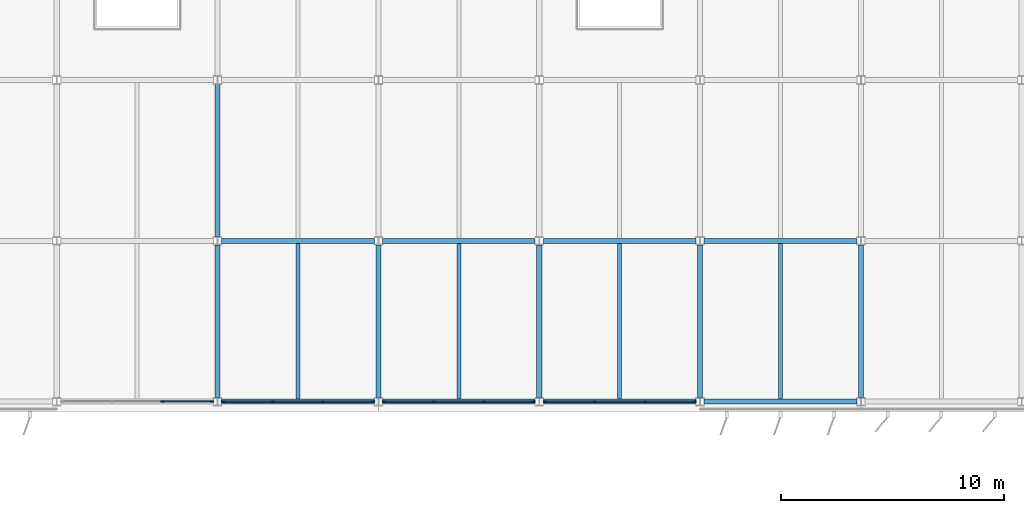
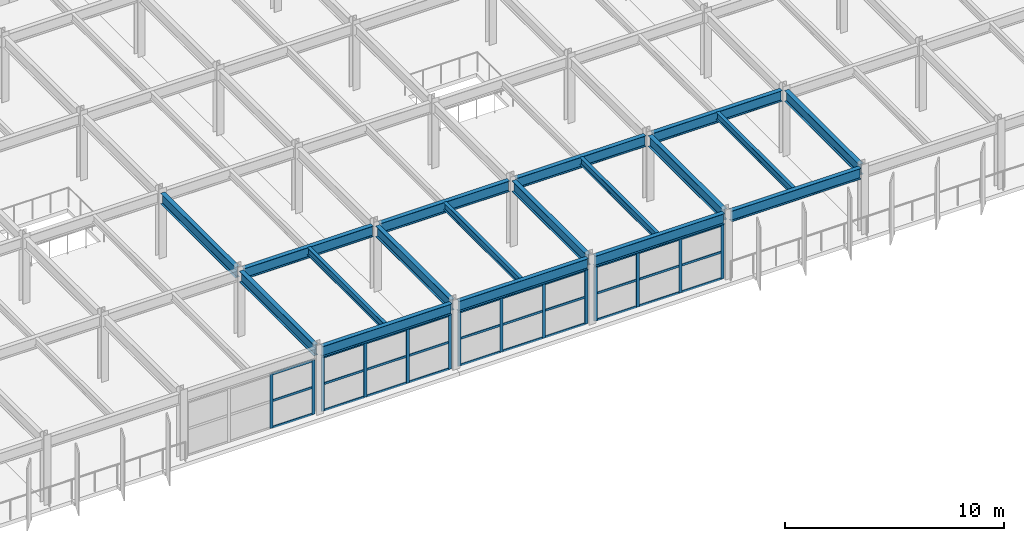
# One storey, part 18 of 52: 44 members, 18 beams, 4 elements without a shape of their own.
"""IFC4 building model written with IfcOpenShell, lengths in metres."""

from ifc_helpers import new_model, si_unit, direction, frame, origin, origin_2d, place, context, subcontext, project, spatial, rectangle, i_section, extrude, material, material_profile, profile_set, type_object, element, aggregate, save


model = new_model("IFC4")

# Units and contexts
model_context = context("Model", 3, precision=1e-05, world=origin(), true_north=direction((0.0, 1.0)))
body_context = subcontext(model_context, "Body", "Model", "MODEL_VIEW")
ifc_project = project(units=[si_unit("LENGTHUNIT", "METRE"), si_unit("AREAUNIT", "SQUARE_METRE"), si_unit("VOLUMEUNIT", "CUBIC_METRE"), si_unit("PLANEANGLEUNIT", "RADIAN"), si_unit("MASSUNIT", "GRAM", prefix="KILO")], contexts=[model_context])

# Site, building, storey
site_placement = place(None, origin())
site = spatial("IfcSite", under=ifc_project, at=site_placement, CompositionType="ELEMENT")
building_placement = place(site_placement, origin())
building = spatial("IfcBuilding", under=site, at=building_placement, Name="Vaelcorin Mobility Hub", CompositionType="ELEMENT")
storey_placement = place(building_placement, frame((0.0, 0.0, 13.199951171875)))
storey = spatial("IfcBuildingStorey", under=building, at=storey_placement, Name="L03", CompositionType="ELEMENT", Elevation=13.199951171875)

# Beams
ifc_material_1 = material(Name="Steel ASTM A992 Grade 50", Category="steel")
ifc_material_profile_1 = material_profile(ifc_material_1, i_section(OverallWidth=0.177978515625, OverallDepth=0.404052734375, WebThickness=0.007568359375, FlangeThickness=0.010986328125, FilletRadius=0.012939453125, at=origin_2d()), Name="W16X36")
ifc_profile_set_1 = profile_set([ifc_material_profile_1], Name="Steel ASTM A992 Grade 50")
beam_type_1 = type_object("IfcBeamType", Name="BM-W16X36", PredefinedType="JOIST", material=ifc_profile_set_1)
for number, where, z_axis, x_axis, name in (
    (1, (75.60009765625, 76.912109375, 3.47802734375), (0.0, 1.0, 0.0), (-1.0, 0.0, 0.0), "L03 Beam V4VR-L03-J-06-01-1"),
    (2, (82.800048828125, 76.912109375, 3.47802734375), (0.0, 1.0, 0.0), (-1.0, 0.0, 0.0), "L03 Beam V4VR-L03-J-07-01-1"),
    (3, (90.0, 76.912109375, 3.47802734375), (0.0, 1.0, 0.0), (-1.0, 0.0, 0.0), "L03 Beam V4VR-L03-J-08-01-1"),
    (4, (97.199951171875, 76.912109375, 3.47802734375), (0.0, 1.0, 0.0), (-1.0, 0.0, 0.0), "L03 Beam V4VR-L03-J-09-01-1"),
):
    element("IfcBeam", number, at=place(storey_placement, frame(where, z_axis=z_axis, x_axis=x_axis)), inside=storey, type_object=beam_type_1, Name=name, PredefinedType="JOIST", context=body_context, shape_type="SweptSolid", body=[
        extrude(i_section(OverallWidth=0.177978515625, OverallDepth=0.404052734375, WebThickness=0.007568359375, FlangeThickness=0.010986328125, FilletRadius=0.012939453125, at=origin_2d()), origin(), (0.0, 0.0, 1.0), 6.975830078125),
    ])
ifc_material_profile_2 = material_profile(ifc_material_1, i_section(OverallWidth=0.22802734375, OverallDepth=0.60205078125, WebThickness=0.010498046875, FlangeThickness=0.014892578125, FilletRadius=0.014892578125, at=origin_2d()), Name="W24X68")
ifc_profile_set_2 = profile_set([ifc_material_profile_2], Name="Steel ASTM A992 Grade 50")
beam_type_2 = type_object("IfcBeamType", Name="BM-W24X68", PredefinedType="SPANDREL", material=ifc_profile_set_2)
for number, where, z_axis, x_axis, name in (
    (5, (72.18408203125, 84.0, 3.359130859375), (1.0, 0.0, 0.0), (0.0, 1.0, 0.0), "L03 Beam V4-L03-GX-01-06"),
    (6, (79.384033203125, 84.0, 3.359130859375), (1.0, 0.0, 0.0), (0.0, 1.0, 0.0), "L03 Beam V4-L03-GX-01-07"),
    (7, (86.583984375, 84.0, 3.359130859375), (1.0, 0.0, 0.0), (0.0, 1.0, 0.0), "L03 Beam V4-L03-GX-01-08"),
    (8, (93.783935546875, 84.0, 3.359130859375), (1.0, 0.0, 0.0), (0.0, 1.0, 0.0), "L03 Beam V4-L03-GX-01-09"),
):
    element("IfcBeam", number, at=place(storey_placement, frame(where, z_axis=z_axis, x_axis=x_axis)), inside=storey, type_object=beam_type_2, Name=name, PredefinedType="SPANDREL", context=body_context, shape_type="SweptSolid", body=[
        extrude(i_section(OverallWidth=0.22802734375, OverallDepth=0.60205078125, WebThickness=0.010498046875, FlangeThickness=0.014892578125, FilletRadius=0.014892578125, at=origin_2d()), origin(), (0.0, 0.0, 1.0), 6.83203125),
    ])
beam_1_placement = place(storey_placement, frame((72.0, 84.18408203125, 3.359130859375), z_axis=(0.0, 1.0, 0.0), x_axis=(-1.0, 0.0, 0.0)))
element("IfcBeam", 9, at=beam_1_placement, inside=storey, type_object=beam_type_2, Name="L03 Beam V4-L03-GY-06-01", PredefinedType="SPANDREL", context=body_context, shape_type="SweptSolid", body=[
    extrude(i_section(OverallWidth=0.22802734375, OverallDepth=0.60205078125, WebThickness=0.010498046875, FlangeThickness=0.014892578125, FilletRadius=0.014892578125, at=origin_2d()), origin(), (0.0, 0.0, 1.0), 6.8359375),
])
for number, where, z_axis, x_axis, name in (
    (10, (72.18408203125, 76.800048828125, 3.379150390625), (1.0, 0.0, 0.0), (0.0, 1.0, 0.0), "L03 Beam V4VR-L03-GX-01-06"),
    (11, (79.384033203125, 76.800048828125, 3.379150390625), (1.0, 0.0, 0.0), (0.0, 1.0, 0.0), "L03 Beam V4VR-L03-GX-01-07"),
):
    element("IfcBeam", number, at=place(storey_placement, frame(where, z_axis=z_axis, x_axis=x_axis)), inside=storey, type_object=beam_type_2, Name=name, PredefinedType="SPANDREL", context=body_context, shape_type="SweptSolid", body=[
        extrude(i_section(OverallWidth=0.22802734375, OverallDepth=0.60205078125, WebThickness=0.010498046875, FlangeThickness=0.014892578125, FilletRadius=0.014892578125, at=origin_2d()), origin(), (0.0, 0.0, 1.0), 6.8330078125),
    ])
beam_2_placement = place(storey_placement, frame((86.583984375, 76.800048828125, 3.379150390625), z_axis=(1.0, 0.0, 0.0), x_axis=(0.0, 1.0, 0.0)))
element("IfcBeam", 12, at=beam_2_placement, inside=storey, type_object=beam_type_2, Name="L03 Beam V4VR-L03-GX-01-08", PredefinedType="SPANDREL", context=body_context, shape_type="SweptSolid", body=[
    extrude(i_section(OverallWidth=0.22802734375, OverallDepth=0.60205078125, WebThickness=0.010498046875, FlangeThickness=0.014892578125, FilletRadius=0.014892578125, at=origin_2d()), origin(), (0.0, 0.0, 1.0), 6.83203125),
])
beam_3_placement = place(storey_placement, frame((93.782958984375, 76.800048828125, 3.379150390625), z_axis=(1.0, 0.0, 0.0), x_axis=(0.0, 1.0, 0.0)))
element("IfcBeam", 13, at=beam_3_placement, inside=storey, type_object=beam_type_2, Name="L03 Beam V4VR-L03-GX-01-09", PredefinedType="SPANDREL", context=body_context, shape_type="SweptSolid", body=[
    extrude(i_section(OverallWidth=0.22802734375, OverallDepth=0.60205078125, WebThickness=0.010498046875, FlangeThickness=0.014892578125, FilletRadius=0.014892578125, at=origin_2d()), origin(), (0.0, 0.0, 1.0), 6.8330078125),
])
for number, where, z_axis, x_axis, name in (
    (14, (72.0, 76.97998046875, 3.379150390625), (0.0, 1.0, 0.0), (-1.0, 0.0, 0.0), "L03 Beam V4VR-L03-GY-06-01"),
    (15, (79.199951171875, 76.97998046875, 3.379150390625), (0.0, 1.0, 0.0), (-1.0, 0.0, 0.0), "L03 Beam V4VR-L03-GY-07-01"),
    (16, (86.39990234375, 76.97998046875, 3.379150390625), (0.0, 1.0, 0.0), (-1.0, 0.0, 0.0), "L03 Beam V4VR-L03-GY-08-01"),
    (17, (93.60009765625, 76.97998046875, 3.379150390625), (0.0, 1.0, 0.0), (-1.0, 0.0, 0.0), "L03 Beam V4VR-L03-GY-09-01"),
    (18, (100.800048828125, 76.97998046875, 3.379150390625), (0.0, 1.0, 0.0), (-1.0, 0.0, 0.0), "L03 Beam V4VR-L03-GY-10-01"),
):
    element("IfcBeam", number, at=place(storey_placement, frame(where, z_axis=z_axis, x_axis=x_axis)), inside=storey, type_object=beam_type_2, Name=name, PredefinedType="SPANDREL", context=body_context, shape_type="SweptSolid", body=[
        extrude(i_section(OverallWidth=0.22802734375, OverallDepth=0.60205078125, WebThickness=0.010498046875, FlangeThickness=0.014892578125, FilletRadius=0.014892578125, at=origin_2d()), origin(), (0.0, 0.0, 1.0), 6.8359375),
    ])

# Curtain wall, members
ifc_material_2 = material(Name="Anodised aluminium 6063-T6", Category="aluminium")
curtain_wall_type = type_object("IfcCurtainWallType", Name="CW-MOB-A", PredefinedType="NOTDEFINED", material=ifc_material_2)
curtain_wall_1_placement = place(storey_placement, origin())
curtain_wall_1 = element("IfcCurtainWall", 19, at=curtain_wall_1_placement, inside=storey, type_object=curtain_wall_type, Name="L03 Curtain Wall CW-V4-L03-S-05", PredefinedType="NOTDEFINED")
ifc_material_profile_3 = material_profile(ifc_material_2, rectangle(XDim=0.06005859375, YDim=0.159912109375, at=origin_2d()), Name="ALU-M60X160")
ifc_profile_set_3 = profile_set([ifc_material_profile_3], Name="Anodised aluminium 6063-T6")
member_type_1 = type_object("IfcMemberType", Name="CW-MULL-160", PredefinedType="MULLION", material=ifc_profile_set_3)
member_1_placement = place(storey_placement, frame((71.75, 76.800048828125, 0.0), z_axis=(0.0, 0.0, 1.0), x_axis=(0.0, -1.0, 0.0)))
member_1 = element("IfcMember", 20, at=member_1_placement, type_object=member_type_1, Name="CW7 mullion 1", PredefinedType="MULLION", context=body_context, shape_type="SweptSolid", body=[
    extrude(rectangle(XDim=0.06005859375, YDim=0.159912109375, at=origin_2d()), origin(), (0.0, 0.0, 1.0), 3.032958984375),
])
member_2_placement = place(storey_placement, frame((69.526611328125, 76.800048828125, 0.0), z_axis=(0.0, 0.0, 1.0), x_axis=(0.0, -1.0, 0.0)))
member_2 = element("IfcMember", 21, at=member_2_placement, type_object=member_type_1, Name="CW7 mullion 2", PredefinedType="MULLION", context=body_context, shape_type="SweptSolid", body=[
    extrude(rectangle(XDim=0.06005859375, YDim=0.159912109375, at=origin_2d()), origin(), (0.0, 0.0, 1.0), 3.032958984375),
])

curtain_wall_2_placement = place(storey_placement, origin())
curtain_wall_2 = element("IfcCurtainWall", 22, at=curtain_wall_2_placement, inside=storey, type_object=curtain_wall_type, Name="L03 Curtain Wall CW-V4-L03-S-06", PredefinedType="NOTDEFINED")
member_3_placement = place(storey_placement, frame((78.949951171875, 76.800048828125, 0.0), z_axis=(0.0, 0.0, 1.0), x_axis=(0.0, -1.0, 0.0)))
member_3 = element("IfcMember", 23, at=member_3_placement, type_object=member_type_1, Name="CW7 mullion 1", PredefinedType="MULLION", context=body_context, shape_type="SweptSolid", body=[
    extrude(rectangle(XDim=0.06005859375, YDim=0.159912109375, at=origin_2d()), origin(), (0.0, 0.0, 1.0), 3.032958984375),
])
member_4_placement = place(storey_placement, frame((76.7265625, 76.800048828125, 0.0), z_axis=(0.0, 0.0, 1.0), x_axis=(0.0, -1.0, 0.0)))
member_4 = element("IfcMember", 24, at=member_4_placement, type_object=member_type_1, Name="CW7 mullion 2", PredefinedType="MULLION", context=body_context, shape_type="SweptSolid", body=[
    extrude(rectangle(XDim=0.06005859375, YDim=0.159912109375, at=origin_2d()), origin(), (0.0, 0.0, 1.0), 3.032958984375),
])
member_5_placement = place(storey_placement, frame((74.473388671875, 76.800048828125, 0.0), z_axis=(0.0, 0.0, 1.0), x_axis=(0.0, -1.0, 0.0)))
member_5 = element("IfcMember", 25, at=member_5_placement, type_object=member_type_1, Name="CW7 mullion 3", PredefinedType="MULLION", context=body_context, shape_type="SweptSolid", body=[
    extrude(rectangle(XDim=0.06005859375, YDim=0.159912109375, at=origin_2d()), origin(), (0.0, 0.0, 1.0), 3.032958984375),
])
member_6_placement = place(storey_placement, frame((72.25, 76.800048828125, 0.0), z_axis=(0.0, 0.0, 1.0), x_axis=(0.0, -1.0, 0.0)))
member_6 = element("IfcMember", 26, at=member_6_placement, type_object=member_type_1, Name="CW7 mullion 4", PredefinedType="MULLION", context=body_context, shape_type="SweptSolid", body=[
    extrude(rectangle(XDim=0.06005859375, YDim=0.159912109375, at=origin_2d()), origin(), (0.0, 0.0, 1.0), 3.032958984375),
])

curtain_wall_3_placement = place(storey_placement, origin())
curtain_wall_3 = element("IfcCurtainWall", 27, at=curtain_wall_3_placement, inside=storey, type_object=curtain_wall_type, Name="L03 Curtain Wall CW-V4-L03-S-07", PredefinedType="NOTDEFINED")
member_7_placement = place(storey_placement, frame((86.14990234375, 76.800048828125, 0.0), z_axis=(0.0, 0.0, 1.0), x_axis=(0.0, -1.0, 0.0)))
member_7 = element("IfcMember", 28, at=member_7_placement, type_object=member_type_1, Name="CW7 mullion 1", PredefinedType="MULLION", context=body_context, shape_type="SweptSolid", body=[
    extrude(rectangle(XDim=0.06005859375, YDim=0.159912109375, at=origin_2d()), origin(), (0.0, 0.0, 1.0), 3.032958984375),
])
member_8_placement = place(storey_placement, frame((83.9267578125, 76.800048828125, 0.0), z_axis=(0.0, 0.0, 1.0), x_axis=(0.0, -1.0, 0.0)))
member_8 = element("IfcMember", 29, at=member_8_placement, type_object=member_type_1, Name="CW7 mullion 2", PredefinedType="MULLION", context=body_context, shape_type="SweptSolid", body=[
    extrude(rectangle(XDim=0.06005859375, YDim=0.159912109375, at=origin_2d()), origin(), (0.0, 0.0, 1.0), 3.032958984375),
])
member_9_placement = place(storey_placement, frame((81.67333984375, 76.800048828125, 0.0), z_axis=(0.0, 0.0, 1.0), x_axis=(0.0, -1.0, 0.0)))
member_9 = element("IfcMember", 30, at=member_9_placement, type_object=member_type_1, Name="CW7 mullion 3", PredefinedType="MULLION", context=body_context, shape_type="SweptSolid", body=[
    extrude(rectangle(XDim=0.06005859375, YDim=0.159912109375, at=origin_2d()), origin(), (0.0, 0.0, 1.0), 3.032958984375),
])
member_10_placement = place(storey_placement, frame((79.449951171875, 76.800048828125, 0.0), z_axis=(0.0, 0.0, 1.0), x_axis=(0.0, -1.0, 0.0)))
member_10 = element("IfcMember", 31, at=member_10_placement, type_object=member_type_1, Name="CW7 mullion 4", PredefinedType="MULLION", context=body_context, shape_type="SweptSolid", body=[
    extrude(rectangle(XDim=0.06005859375, YDim=0.159912109375, at=origin_2d()), origin(), (0.0, 0.0, 1.0), 3.032958984375),
])

curtain_wall_4_placement = place(storey_placement, origin())
curtain_wall_4 = element("IfcCurtainWall", 32, at=curtain_wall_4_placement, inside=storey, type_object=curtain_wall_type, Name="L03 Curtain Wall CW-V4-L03-S-08", PredefinedType="NOTDEFINED")
member_11_placement = place(storey_placement, frame((93.35009765625, 76.800048828125, 0.0), z_axis=(0.0, 0.0, 1.0), x_axis=(0.0, -1.0, 0.0)))
member_11 = element("IfcMember", 33, at=member_11_placement, type_object=member_type_1, Name="CW7 mullion 1", PredefinedType="MULLION", context=body_context, shape_type="SweptSolid", body=[
    extrude(rectangle(XDim=0.06005859375, YDim=0.159912109375, at=origin_2d()), origin(), (0.0, 0.0, 1.0), 3.032958984375),
])
member_12_placement = place(storey_placement, frame((91.126708984375, 76.800048828125, 0.0), z_axis=(0.0, 0.0, 1.0), x_axis=(0.0, -1.0, 0.0)))
member_12 = element("IfcMember", 34, at=member_12_placement, type_object=member_type_1, Name="CW7 mullion 2", PredefinedType="MULLION", context=body_context, shape_type="SweptSolid", body=[
    extrude(rectangle(XDim=0.06005859375, YDim=0.159912109375, at=origin_2d()), origin(), (0.0, 0.0, 1.0), 3.032958984375),
])
member_13_placement = place(storey_placement, frame((88.873291015625, 76.800048828125, 0.0), z_axis=(0.0, 0.0, 1.0), x_axis=(0.0, -1.0, 0.0)))
member_13 = element("IfcMember", 35, at=member_13_placement, type_object=member_type_1, Name="CW7 mullion 3", PredefinedType="MULLION", context=body_context, shape_type="SweptSolid", body=[
    extrude(rectangle(XDim=0.06005859375, YDim=0.159912109375, at=origin_2d()), origin(), (0.0, 0.0, 1.0), 3.032958984375),
])
member_14_placement = place(storey_placement, frame((86.64990234375, 76.800048828125, 0.0), z_axis=(0.0, 0.0, 1.0), x_axis=(0.0, -1.0, 0.0)))
member_14 = element("IfcMember", 36, at=member_14_placement, type_object=member_type_1, Name="CW7 mullion 4", PredefinedType="MULLION", context=body_context, shape_type="SweptSolid", body=[
    extrude(rectangle(XDim=0.06005859375, YDim=0.159912109375, at=origin_2d()), origin(), (0.0, 0.0, 1.0), 3.032958984375),
])

# Member
ifc_material_profile_4 = material_profile(ifc_material_2, rectangle(XDim=0.06005859375, YDim=0.1201171875, at=origin_2d()), Name="ALU-T60X120")
ifc_profile_set_4 = profile_set([ifc_material_profile_4], Name="Anodised aluminium 6063-T6")
member_type_2 = type_object("IfcMemberType", Name="CW-TRAN-140", PredefinedType="USERDEFINED", material=ifc_profile_set_4)
member_15_placement = place(storey_placement, frame((71.719970703125, 76.800048828125, 0.030029296875), z_axis=(-1.0, 0.0, 0.0), x_axis=(0.0, -1.0, 0.0)))
member_15 = element("IfcMember", 37, at=member_15_placement, type_object=member_type_2, Name="CW7 transom 1.1", ObjectType="TRANSOM", PredefinedType="USERDEFINED", context=body_context, shape_type="SweptSolid", body=[
    extrude(rectangle(XDim=0.06005859375, YDim=0.1201171875, at=origin_2d()), origin(), (0.0, 0.0, 1.0), 2.163330078125),
])

member_16_placement = place(storey_placement, frame((71.719970703125, 76.800048828125, 1.51611328125), z_axis=(-1.0, 0.0, 0.0), x_axis=(0.0, -1.0, 0.0)))
member_16 = element("IfcMember", 38, at=member_16_placement, type_object=member_type_2, Name="CW7 transom 1.2", ObjectType="TRANSOM", PredefinedType="USERDEFINED", context=body_context, shape_type="SweptSolid", body=[
    extrude(rectangle(XDim=0.06005859375, YDim=0.1201171875, at=origin_2d()), origin(), (0.0, 0.0, 1.0), 2.163330078125),
])

member_17_placement = place(storey_placement, frame((71.719970703125, 76.800048828125, 3.0029296875), z_axis=(-1.0, 0.0, 0.0), x_axis=(0.0, -1.0, 0.0)))
member_17 = element("IfcMember", 39, at=member_17_placement, type_object=member_type_2, Name="CW7 transom 1.3", ObjectType="TRANSOM", PredefinedType="USERDEFINED", context=body_context, shape_type="SweptSolid", body=[
    extrude(rectangle(XDim=0.06005859375, YDim=0.1201171875, at=origin_2d()), origin(), (0.0, 0.0, 1.0), 2.163330078125),
])

aggregate(curtain_wall_1, [member_1, member_2, member_15, member_16, member_17])

member_18_placement = place(storey_placement, frame((78.919921875, 76.800048828125, 0.030029296875), z_axis=(-1.0, 0.0, 0.0), x_axis=(0.0, -1.0, 0.0)))
member_18 = element("IfcMember", 40, at=member_18_placement, type_object=member_type_2, Name="CW7 transom 1.1", ObjectType="TRANSOM", PredefinedType="USERDEFINED", context=body_context, shape_type="SweptSolid", body=[
    extrude(rectangle(XDim=0.06005859375, YDim=0.1201171875, at=origin_2d()), origin(), (0.0, 0.0, 1.0), 2.163330078125),
])

member_19_placement = place(storey_placement, frame((78.919921875, 76.800048828125, 1.51611328125), z_axis=(-1.0, 0.0, 0.0), x_axis=(0.0, -1.0, 0.0)))
member_19 = element("IfcMember", 41, at=member_19_placement, type_object=member_type_2, Name="CW7 transom 1.2", ObjectType="TRANSOM", PredefinedType="USERDEFINED", context=body_context, shape_type="SweptSolid", body=[
    extrude(rectangle(XDim=0.06005859375, YDim=0.1201171875, at=origin_2d()), origin(), (0.0, 0.0, 1.0), 2.163330078125),
])

member_20_placement = place(storey_placement, frame((78.919921875, 76.800048828125, 3.0029296875), z_axis=(-1.0, 0.0, 0.0), x_axis=(0.0, -1.0, 0.0)))
member_20 = element("IfcMember", 42, at=member_20_placement, type_object=member_type_2, Name="CW7 transom 1.3", ObjectType="TRANSOM", PredefinedType="USERDEFINED", context=body_context, shape_type="SweptSolid", body=[
    extrude(rectangle(XDim=0.06005859375, YDim=0.1201171875, at=origin_2d()), origin(), (0.0, 0.0, 1.0), 2.163330078125),
])

member_21_placement = place(storey_placement, frame((76.69677734375, 76.800048828125, 0.030029296875), z_axis=(-1.0, 0.0, 0.0), x_axis=(0.0, -1.0, 0.0)))
member_21 = element("IfcMember", 43, at=member_21_placement, type_object=member_type_2, Name="CW7 transom 2.1", ObjectType="TRANSOM", PredefinedType="USERDEFINED", context=body_context, shape_type="SweptSolid", body=[
    extrude(rectangle(XDim=0.06005859375, YDim=0.1201171875, at=origin_2d()), origin(), (0.0, 0.0, 1.0), 2.193359375),
])

member_22_placement = place(storey_placement, frame((76.69677734375, 76.800048828125, 1.51611328125), z_axis=(-1.0, 0.0, 0.0), x_axis=(0.0, -1.0, 0.0)))
member_22 = element("IfcMember", 44, at=member_22_placement, type_object=member_type_2, Name="CW7 transom 2.2", ObjectType="TRANSOM", PredefinedType="USERDEFINED", context=body_context, shape_type="SweptSolid", body=[
    extrude(rectangle(XDim=0.06005859375, YDim=0.1201171875, at=origin_2d()), origin(), (0.0, 0.0, 1.0), 2.193359375),
])

member_23_placement = place(storey_placement, frame((76.69677734375, 76.800048828125, 3.0029296875), z_axis=(-1.0, 0.0, 0.0), x_axis=(0.0, -1.0, 0.0)))
member_23 = element("IfcMember", 45, at=member_23_placement, type_object=member_type_2, Name="CW7 transom 2.3", ObjectType="TRANSOM", PredefinedType="USERDEFINED", context=body_context, shape_type="SweptSolid", body=[
    extrude(rectangle(XDim=0.06005859375, YDim=0.1201171875, at=origin_2d()), origin(), (0.0, 0.0, 1.0), 2.193359375),
])

member_24_placement = place(storey_placement, frame((74.443359375, 76.800048828125, 0.030029296875), z_axis=(-1.0, 0.0, 0.0), x_axis=(0.0, -1.0, 0.0)))
member_24 = element("IfcMember", 46, at=member_24_placement, type_object=member_type_2, Name="CW7 transom 3.1", ObjectType="TRANSOM", PredefinedType="USERDEFINED", context=body_context, shape_type="SweptSolid", body=[
    extrude(rectangle(XDim=0.06005859375, YDim=0.1201171875, at=origin_2d()), origin(), (0.0, 0.0, 1.0), 2.163330078125),
])

member_25_placement = place(storey_placement, frame((74.443359375, 76.800048828125, 1.51611328125), z_axis=(-1.0, 0.0, 0.0), x_axis=(0.0, -1.0, 0.0)))
member_25 = element("IfcMember", 47, at=member_25_placement, type_object=member_type_2, Name="CW7 transom 3.2", ObjectType="TRANSOM", PredefinedType="USERDEFINED", context=body_context, shape_type="SweptSolid", body=[
    extrude(rectangle(XDim=0.06005859375, YDim=0.1201171875, at=origin_2d()), origin(), (0.0, 0.0, 1.0), 2.163330078125),
])

member_26_placement = place(storey_placement, frame((74.443359375, 76.800048828125, 3.0029296875), z_axis=(-1.0, 0.0, 0.0), x_axis=(0.0, -1.0, 0.0)))
member_26 = element("IfcMember", 48, at=member_26_placement, type_object=member_type_2, Name="CW7 transom 3.3", ObjectType="TRANSOM", PredefinedType="USERDEFINED", context=body_context, shape_type="SweptSolid", body=[
    extrude(rectangle(XDim=0.06005859375, YDim=0.1201171875, at=origin_2d()), origin(), (0.0, 0.0, 1.0), 2.163330078125),
])

aggregate(curtain_wall_2, [member_3, member_4, member_5, member_6, member_18, member_19, member_20, member_21, member_22, member_23, member_24, member_25, member_26])

member_27_placement = place(storey_placement, frame((86.1201171875, 76.800048828125, 0.030029296875), z_axis=(-1.0, 0.0, 0.0), x_axis=(0.0, -1.0, 0.0)))
member_27 = element("IfcMember", 49, at=member_27_placement, type_object=member_type_2, Name="CW7 transom 1.1", ObjectType="TRANSOM", PredefinedType="USERDEFINED", context=body_context, shape_type="SweptSolid", body=[
    extrude(rectangle(XDim=0.06005859375, YDim=0.1201171875, at=origin_2d()), origin(), (0.0, 0.0, 1.0), 2.163330078125),
])

member_28_placement = place(storey_placement, frame((86.1201171875, 76.800048828125, 1.51611328125), z_axis=(-1.0, 0.0, 0.0), x_axis=(0.0, -1.0, 0.0)))
member_28 = element("IfcMember", 50, at=member_28_placement, type_object=member_type_2, Name="CW7 transom 1.2", ObjectType="TRANSOM", PredefinedType="USERDEFINED", context=body_context, shape_type="SweptSolid", body=[
    extrude(rectangle(XDim=0.06005859375, YDim=0.1201171875, at=origin_2d()), origin(), (0.0, 0.0, 1.0), 2.163330078125),
])

member_29_placement = place(storey_placement, frame((86.1201171875, 76.800048828125, 3.0029296875), z_axis=(-1.0, 0.0, 0.0), x_axis=(0.0, -1.0, 0.0)))
member_29 = element("IfcMember", 51, at=member_29_placement, type_object=member_type_2, Name="CW7 transom 1.3", ObjectType="TRANSOM", PredefinedType="USERDEFINED", context=body_context, shape_type="SweptSolid", body=[
    extrude(rectangle(XDim=0.06005859375, YDim=0.1201171875, at=origin_2d()), origin(), (0.0, 0.0, 1.0), 2.163330078125),
])

member_30_placement = place(storey_placement, frame((83.896728515625, 76.800048828125, 0.030029296875), z_axis=(-1.0, 0.0, 0.0), x_axis=(0.0, -1.0, 0.0)))
member_30 = element("IfcMember", 52, at=member_30_placement, type_object=member_type_2, Name="CW7 transom 2.1", ObjectType="TRANSOM", PredefinedType="USERDEFINED", context=body_context, shape_type="SweptSolid", body=[
    extrude(rectangle(XDim=0.06005859375, YDim=0.1201171875, at=origin_2d()), origin(), (0.0, 0.0, 1.0), 2.193359375),
])

member_31_placement = place(storey_placement, frame((83.896728515625, 76.800048828125, 1.51611328125), z_axis=(-1.0, 0.0, 0.0), x_axis=(0.0, -1.0, 0.0)))
member_31 = element("IfcMember", 53, at=member_31_placement, type_object=member_type_2, Name="CW7 transom 2.2", ObjectType="TRANSOM", PredefinedType="USERDEFINED", context=body_context, shape_type="SweptSolid", body=[
    extrude(rectangle(XDim=0.06005859375, YDim=0.1201171875, at=origin_2d()), origin(), (0.0, 0.0, 1.0), 2.193359375),
])

member_32_placement = place(storey_placement, frame((83.896728515625, 76.800048828125, 3.0029296875), z_axis=(-1.0, 0.0, 0.0), x_axis=(0.0, -1.0, 0.0)))
member_32 = element("IfcMember", 54, at=member_32_placement, type_object=member_type_2, Name="CW7 transom 2.3", ObjectType="TRANSOM", PredefinedType="USERDEFINED", context=body_context, shape_type="SweptSolid", body=[
    extrude(rectangle(XDim=0.06005859375, YDim=0.1201171875, at=origin_2d()), origin(), (0.0, 0.0, 1.0), 2.193359375),
])

member_33_placement = place(storey_placement, frame((81.643310546875, 76.800048828125, 0.030029296875), z_axis=(-1.0, 0.0, 0.0), x_axis=(0.0, -1.0, 0.0)))
member_33 = element("IfcMember", 55, at=member_33_placement, type_object=member_type_2, Name="CW7 transom 3.1", ObjectType="TRANSOM", PredefinedType="USERDEFINED", context=body_context, shape_type="SweptSolid", body=[
    extrude(rectangle(XDim=0.06005859375, YDim=0.1201171875, at=origin_2d()), origin(), (0.0, 0.0, 1.0), 2.163330078125),
])

member_34_placement = place(storey_placement, frame((81.643310546875, 76.800048828125, 1.51611328125), z_axis=(-1.0, 0.0, 0.0), x_axis=(0.0, -1.0, 0.0)))
member_34 = element("IfcMember", 56, at=member_34_placement, type_object=member_type_2, Name="CW7 transom 3.2", ObjectType="TRANSOM", PredefinedType="USERDEFINED", context=body_context, shape_type="SweptSolid", body=[
    extrude(rectangle(XDim=0.06005859375, YDim=0.1201171875, at=origin_2d()), origin(), (0.0, 0.0, 1.0), 2.163330078125),
])

member_35_placement = place(storey_placement, frame((81.643310546875, 76.800048828125, 3.0029296875), z_axis=(-1.0, 0.0, 0.0), x_axis=(0.0, -1.0, 0.0)))
member_35 = element("IfcMember", 57, at=member_35_placement, type_object=member_type_2, Name="CW7 transom 3.3", ObjectType="TRANSOM", PredefinedType="USERDEFINED", context=body_context, shape_type="SweptSolid", body=[
    extrude(rectangle(XDim=0.06005859375, YDim=0.1201171875, at=origin_2d()), origin(), (0.0, 0.0, 1.0), 2.163330078125),
])

aggregate(curtain_wall_3, [member_7, member_8, member_9, member_10, member_27, member_28, member_29, member_30, member_31, member_32, member_33, member_34, member_35])

member_36_placement = place(storey_placement, frame((93.320068359375, 76.800048828125, 0.030029296875), z_axis=(-1.0, 0.0, 0.0), x_axis=(0.0, -1.0, 0.0)))
member_36 = element("IfcMember", 58, at=member_36_placement, type_object=member_type_2, Name="CW7 transom 1.1", ObjectType="TRANSOM", PredefinedType="USERDEFINED", context=body_context, shape_type="SweptSolid", body=[
    extrude(rectangle(XDim=0.06005859375, YDim=0.1201171875, at=origin_2d()), origin(), (0.0, 0.0, 1.0), 2.163330078125),
])

member_37_placement = place(storey_placement, frame((93.320068359375, 76.800048828125, 1.51611328125), z_axis=(-1.0, 0.0, 0.0), x_axis=(0.0, -1.0, 0.0)))
member_37 = element("IfcMember", 59, at=member_37_placement, type_object=member_type_2, Name="CW7 transom 1.2", ObjectType="TRANSOM", PredefinedType="USERDEFINED", context=body_context, shape_type="SweptSolid", body=[
    extrude(rectangle(XDim=0.06005859375, YDim=0.1201171875, at=origin_2d()), origin(), (0.0, 0.0, 1.0), 2.163330078125),
])

member_38_placement = place(storey_placement, frame((93.320068359375, 76.800048828125, 3.0029296875), z_axis=(-1.0, 0.0, 0.0), x_axis=(0.0, -1.0, 0.0)))
member_38 = element("IfcMember", 60, at=member_38_placement, type_object=member_type_2, Name="CW7 transom 1.3", ObjectType="TRANSOM", PredefinedType="USERDEFINED", context=body_context, shape_type="SweptSolid", body=[
    extrude(rectangle(XDim=0.06005859375, YDim=0.1201171875, at=origin_2d()), origin(), (0.0, 0.0, 1.0), 2.163330078125),
])

member_39_placement = place(storey_placement, frame((91.0966796875, 76.800048828125, 0.030029296875), z_axis=(-1.0, 0.0, 0.0), x_axis=(0.0, -1.0, 0.0)))
member_39 = element("IfcMember", 61, at=member_39_placement, type_object=member_type_2, Name="CW7 transom 2.1", ObjectType="TRANSOM", PredefinedType="USERDEFINED", context=body_context, shape_type="SweptSolid", body=[
    extrude(rectangle(XDim=0.06005859375, YDim=0.1201171875, at=origin_2d()), origin(), (0.0, 0.0, 1.0), 2.193359375),
])

member_40_placement = place(storey_placement, frame((91.0966796875, 76.800048828125, 1.51611328125), z_axis=(-1.0, 0.0, 0.0), x_axis=(0.0, -1.0, 0.0)))
member_40 = element("IfcMember", 62, at=member_40_placement, type_object=member_type_2, Name="CW7 transom 2.2", ObjectType="TRANSOM", PredefinedType="USERDEFINED", context=body_context, shape_type="SweptSolid", body=[
    extrude(rectangle(XDim=0.06005859375, YDim=0.1201171875, at=origin_2d()), origin(), (0.0, 0.0, 1.0), 2.193359375),
])

member_41_placement = place(storey_placement, frame((91.0966796875, 76.800048828125, 3.0029296875), z_axis=(-1.0, 0.0, 0.0), x_axis=(0.0, -1.0, 0.0)))
member_41 = element("IfcMember", 63, at=member_41_placement, type_object=member_type_2, Name="CW7 transom 2.3", ObjectType="TRANSOM", PredefinedType="USERDEFINED", context=body_context, shape_type="SweptSolid", body=[
    extrude(rectangle(XDim=0.06005859375, YDim=0.1201171875, at=origin_2d()), origin(), (0.0, 0.0, 1.0), 2.193359375),
])

member_42_placement = place(storey_placement, frame((88.84326171875, 76.800048828125, 0.030029296875), z_axis=(-1.0, 0.0, 0.0), x_axis=(0.0, -1.0, 0.0)))
member_42 = element("IfcMember", 64, at=member_42_placement, type_object=member_type_2, Name="CW7 transom 3.1", ObjectType="TRANSOM", PredefinedType="USERDEFINED", context=body_context, shape_type="SweptSolid", body=[
    extrude(rectangle(XDim=0.06005859375, YDim=0.1201171875, at=origin_2d()), origin(), (0.0, 0.0, 1.0), 2.163330078125),
])

member_43_placement = place(storey_placement, frame((88.84326171875, 76.800048828125, 1.51611328125), z_axis=(-1.0, 0.0, 0.0), x_axis=(0.0, -1.0, 0.0)))
member_43 = element("IfcMember", 65, at=member_43_placement, type_object=member_type_2, Name="CW7 transom 3.2", ObjectType="TRANSOM", PredefinedType="USERDEFINED", context=body_context, shape_type="SweptSolid", body=[
    extrude(rectangle(XDim=0.06005859375, YDim=0.1201171875, at=origin_2d()), origin(), (0.0, 0.0, 1.0), 2.163330078125),
])

member_44_placement = place(storey_placement, frame((88.84326171875, 76.800048828125, 3.0029296875), z_axis=(-1.0, 0.0, 0.0), x_axis=(0.0, -1.0, 0.0)))
member_44 = element("IfcMember", 66, at=member_44_placement, type_object=member_type_2, Name="CW7 transom 3.3", ObjectType="TRANSOM", PredefinedType="USERDEFINED", context=body_context, shape_type="SweptSolid", body=[
    extrude(rectangle(XDim=0.06005859375, YDim=0.1201171875, at=origin_2d()), origin(), (0.0, 0.0, 1.0), 2.163330078125),
])

aggregate(curtain_wall_4, [member_11, member_12, member_13, member_14, member_36, member_37, member_38, member_39, member_40, member_41, member_42, member_43, member_44])

save(model, "model.ifc")
